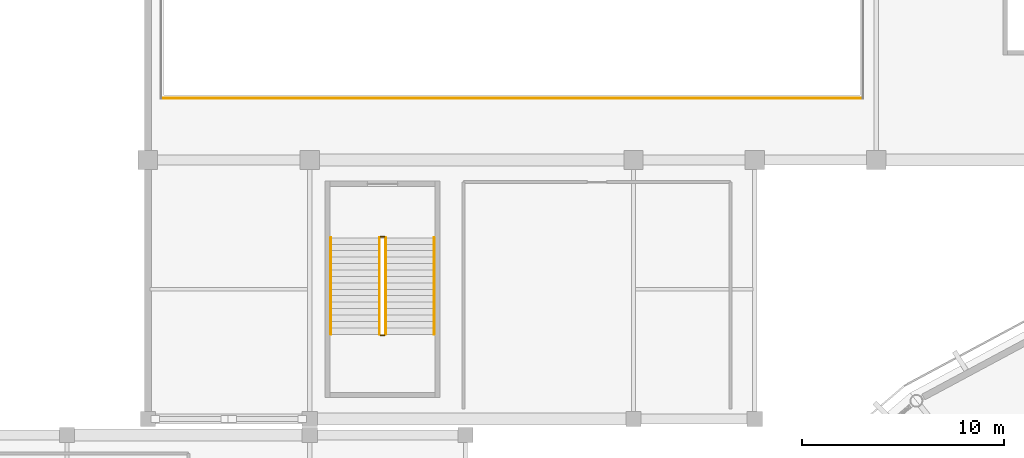
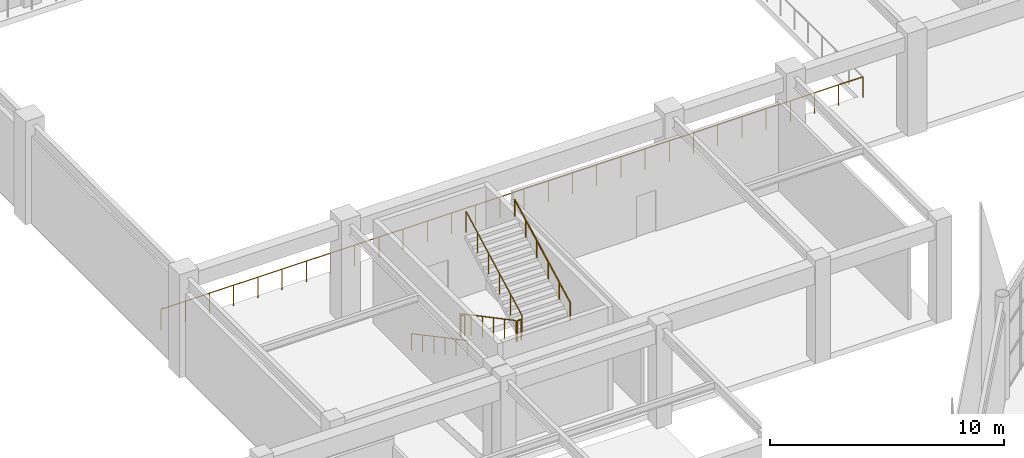
# One storey, part 104 of 120: 7 railings.
"""IFC4 building model written with IfcOpenShell, lengths in metres."""

import ifcopenshell
import ifcopenshell.guid

model = None  # the IFC model being written
_history = None  # IfcOwnerHistory: only IFC2X3 demands one
_inside = {}  # id of a spatial element -> (the spatial element, [elements in it])
_under = {}  # id of a project, library or spatial element -> (it, [spatial elements below it])
_declared = {}  # id of a project -> (the project, [libraries it declares])
_typed = {}  # id of a type object -> (the type object, [elements of that type])
_made_of = {}  # id of a material, layer set ... -> (it, [elements and type objects made of it])


def new_model(schema):
    """Start an empty IFC model of exactly this schema.

    Asked for "IFC4X3", IfcOpenShell would pick the latest addendum, in which some entities
    have other attributes; the version numbers below select the first issue.
    IFC2X3 requires an IfcOwnerHistory on every rooted entity: one is made here for all.
    """
    global model, _history
    if schema == "IFC4X3":
        model = ifcopenshell.file(schema_version=(4, 3, 0, 0))
    else:
        model = ifcopenshell.file(schema=schema)
    _inside.clear()
    _under.clear()
    _declared.clear()
    _typed.clear()
    _made_of.clear()
    _history = None
    if model.schema == "IFC2X3":
        org = make("IfcOrganization", Name="unknown")
        user = make(
            "IfcPersonAndOrganization",
            ThePerson=make("IfcPerson", FamilyName="unknown"),
            TheOrganization=org,
        )
        app = make(
            "IfcApplication",
            ApplicationDeveloper=org,
            Version="unknown",
            ApplicationFullName="unknown",
            ApplicationIdentifier="unknown",
        )
        _history = make(
            "IfcOwnerHistory",
            OwningUser=user,
            OwningApplication=app,
            ChangeAction="ADDED",
            CreationDate=0,
        )
    return model


def make(cls, **values):
    """One entity of the class cls with the attributes given. An attribute that is None is left unset."""
    return model.create_entity(
        cls, **{name: value for name, value in values.items() if value is not None}
    )


def rooted(cls, **values):
    """An entity with a GlobalId (a new one), such as an element, a storey or a relation."""
    return make(cls, GlobalId=ifcopenshell.guid.new(), OwnerHistory=_history, **values)


def si_unit(unit_type, name, prefix=None):
    """IfcSIUnit, for example si_unit("LENGTHUNIT", "METRE", prefix="MILLI")."""
    return make("IfcSIUnit", UnitType=unit_type, Prefix=prefix, Name=name)


def assignment(units):
    """IfcUnitAssignment: the units of a project."""
    return None if units is None else make("IfcUnitAssignment", Units=units)


def point(xyz):
    """IfcCartesianPoint."""
    return None if xyz is None else make("IfcCartesianPoint", Coordinates=xyz)


def direction(xyz):
    """IfcDirection."""
    return None if xyz is None else make("IfcDirection", DirectionRatios=xyz)


def frame(location, z_axis=None, x_axis=None):
    """IfcAxis2Placement3D, a coordinate frame: its origin and axes. An axis left out is left unset."""
    return make(
        "IfcAxis2Placement3D",
        Location=point(location),
        Axis=direction(z_axis),
        RefDirection=direction(x_axis),
    )


def frame_2d(location, x_axis=None):
    """IfcAxis2Placement2D, a coordinate frame in the plane: its origin and x axis."""
    return make(
        "IfcAxis2Placement2D", Location=point(location), RefDirection=direction(x_axis)
    )


def origin():
    """The frame at (0, 0, 0) with its axes left unset."""
    return frame((0.0, 0.0, 0.0))


def origin_2d():
    """The frame at (0, 0) in the plane with its x axis left unset."""
    return frame_2d((0.0, 0.0))


def place(relative_to, where):
    """IfcLocalPlacement: puts the frame where relative to a parent placement (None: the world)."""
    return make(
        "IfcLocalPlacement", PlacementRelTo=relative_to, RelativePlacement=where
    )


def context(
    kind, dimensions, precision=None, world=None, true_north=None, identifier=None
):
    """IfcGeometricRepresentationContext, for example the 3D "Model" context."""
    return make(
        "IfcGeometricRepresentationContext",
        ContextIdentifier=identifier,
        ContextType=kind,
        CoordinateSpaceDimension=dimensions,
        Precision=precision,
        WorldCoordinateSystem=world,
        TrueNorth=true_north,
    )


def subcontext(parent, identifier, kind, view, scale=None):
    """IfcGeometricRepresentationSubContext, for example "Body" below "Model"."""
    return make(
        "IfcGeometricRepresentationSubContext",
        ContextIdentifier=identifier,
        ContextType=kind,
        ParentContext=parent,
        TargetScale=scale,
        TargetView=view,
    )


def project(units=None, contexts=None):
    """IfcProject with its units and contexts."""
    return rooted(
        "IfcProject",
        Name="project",
        RepresentationContexts=contexts,
        UnitsInContext=assignment(units),
    )


def spatial(cls, under=None, at=None, **own):
    """A site, building, storey or space (cls), placed at a placement, below another one or the project."""
    s = rooted(cls, ObjectPlacement=at, **own)
    if under is not None:
        _under.setdefault(under.id(), (under, []))[1].append(s)
    return s


def profile(cls, at=None, kind="AREA", **sizes):
    """A parametric profile (cls). Its sizes go by their IFC names, for example OverallWidth=200.0."""
    return make(cls, ProfileType=kind, Position=at, **sizes)


def circle(**sizes):
    """IfcCircleProfileDef."""
    return profile("IfcCircleProfileDef", **sizes)


def extrude(swept, where, along, depth):
    """IfcExtrudedAreaSolid: the profile swept, set in the frame where, extruded along a direction by depth."""
    return make(
        "IfcExtrudedAreaSolid",
        SweptArea=swept,
        Position=where,
        ExtrudedDirection=direction(along),
        Depth=depth,
    )


def shape(context_of_items, identifier, shape_type, items):
    """IfcShapeRepresentation: the items that make up one representation, for example the "Body"."""
    return make(
        "IfcShapeRepresentation",
        ContextOfItems=context_of_items,
        RepresentationIdentifier=identifier,
        RepresentationType=shape_type,
        Items=items,
    )


def material(Name=None, Category=None):
    """IfcMaterial."""
    return make("IfcMaterial", Name=Name, Category=Category)


def made_of(thing, what):
    """Note that an element or type object is made of a material, layer set ...; save() writes the relation."""
    if what is not None:
        _made_of.setdefault(what.id(), (what, []))[1].append(thing)
    return thing


def type_object(cls, material=None, **own):
    """A type object (cls), such as IfcWallType, which elements share."""
    return made_of(rooted(cls, **own), material)


def element(
    cls,
    number,
    at=None,
    inside=None,
    cuts=None,
    type_object=None,
    material=None,
    context=None,
    identifier="Body",
    shape_type=None,
    held_by="IfcProductDefinitionShape",
    body=None,
    shapes=None,
    **own,
):
    """One element of the class cls, such as IfcWall. Its Tag is "e" and its number.

    at: its placement. inside: the storey or other place that contains it. cuts: it is an
    opening in that element (IfcRelVoidsElement). A single representation is given by context,
    identifier, shape_type and body (its items); several are given by shapes. held_by: the class
    of the entity that holds the representations. save() writes the other relations.
    """
    e = rooted(cls, Tag="e%d" % number, ObjectPlacement=at, **own)
    if body is not None:
        shapes = [shape(context, identifier, shape_type, body)]
    if shapes is not None:
        e.Representation = make(held_by, Representations=shapes)
    if inside is not None:
        _inside.setdefault(inside.id(), (inside, []))[1].append(e)
    if cuts is not None:
        rooted(
            "IfcRelVoidsElement", RelatingBuildingElement=cuts, RelatedOpeningElement=e
        )
    if type_object is not None:
        _typed.setdefault(type_object.id(), (type_object, []))[1].append(e)
    return made_of(e, material)


def aggregate(whole, parts):
    """IfcRelAggregates: a whole, such as a stair, and the parts it consists of."""
    return rooted("IfcRelAggregates", RelatingObject=whole, RelatedObjects=parts)


def save(model, path):
    """Write the relations noted so far, then the file.

    IfcRelAggregates (storeys below a building ...), IfcRelContainedInSpatialStructure (elements
    in a storey), IfcRelDefinesByType, IfcRelAssociatesMaterial and IfcRelDeclares: one each for
    every whole, place, type object, material and project.
    """
    for whole, parts in _under.values():
        aggregate(whole, parts)
    for where, things in _inside.values():
        rooted(
            "IfcRelContainedInSpatialStructure",
            RelatedElements=things,
            RelatingStructure=where,
        )
    for kind, things in _typed.values():
        rooted("IfcRelDefinesByType", RelatedObjects=things, RelatingType=kind)
    for what, things in _made_of.values():
        rooted("IfcRelAssociatesMaterial", RelatedObjects=things, RelatingMaterial=what)
    for by, libraries in _declared.values():
        rooted("IfcRelDeclares", RelatingContext=by, RelatedDefinitions=libraries)
    model.write(path)


model = new_model("IFC4")

# Units and contexts
model_context = context("Model", 3, precision=1e-05, world=origin(), true_north=direction((0.0, 1.0)))
body_context = subcontext(model_context, "Body", "Model", "MODEL_VIEW")
ifc_project = project(units=[si_unit("LENGTHUNIT", "METRE"), si_unit("AREAUNIT", "SQUARE_METRE"), si_unit("VOLUMEUNIT", "CUBIC_METRE"), si_unit("PLANEANGLEUNIT", "RADIAN"), si_unit("MASSUNIT", "GRAM", prefix="KILO")], contexts=[model_context])

# Site, building, storey
site_placement = place(None, origin())
site = spatial("IfcSite", under=ifc_project, at=site_placement, CompositionType="ELEMENT")
building_placement = place(site_placement, origin())
building = spatial("IfcBuilding", under=site, at=building_placement, Name="Cuetzalor Civic Arena", CompositionType="ELEMENT")
storey_placement = place(building_placement, frame((0.0, 0.0, 6.0)))
storey = spatial("IfcBuildingStorey", under=building, at=storey_placement, Name="L01", CompositionType="ELEMENT", Elevation=6.0)

# Railings
ifc_material_1 = material(Name="Reseda-green architectural Steel S355 balustrade", Category="steel")
railing_type_1 = type_object("IfcRailingType", Name="InteriorVoidBalustrade_1100", PredefinedType="BALUSTRADE", material=ifc_material_1)
railing_1_placement = place(storey_placement, frame((-60.550048828125, 44.449951171875, 0.168701171875)))
element("IfcRailing", 1, at=railing_1_placement, inside=storey, type_object=railing_type_1, Name="L01 ST-23 stair guard 1", PredefinedType="BALUSTRADE", context=body_context, shape_type="SweptSolid", body=[
    extrude(circle(Radius=0.02392578125, at=origin_2d()), frame((0.0, 0.0, 1.0810546875), z_axis=(0.0, -0.883332211103, 0.468747485143), x_axis=(1.0, 0.0, 0.0)), (0.0, 0.0, 1.0), 5.400146484375),
    extrude(circle(Radius=0.02099609375, at=origin_2d()), origin(), (0.0, 0.0, 1.0), 1.056884765625),
    extrude(circle(Radius=0.02099609375, at=origin_2d()), frame((0.0, -0.9541015625, 0.50634765625)), (0.0, 0.0, 1.0), 1.056884765625),
    extrude(circle(Radius=0.02099609375, at=origin_2d()), frame((0.0, -1.907958984375, 1.012451171875)), (0.0, 0.0, 1.0), 1.056884765625),
    extrude(circle(Radius=0.02099609375, at=origin_2d()), frame((0.0, -2.862060546875, 1.518798828125)), (0.0, 0.0, 1.0), 1.056884765625),
    extrude(circle(Radius=0.02099609375, at=origin_2d()), frame((0.0, -3.81591796875, 2.02490234375)), (0.0, 0.0, 1.0), 1.056884765625),
    extrude(circle(Radius=0.02099609375, at=origin_2d()), frame((0.0, -4.77001953125, 2.53125)), (0.0, 0.0, 1.0), 1.056884765625),
])
railing_2_placement = place(storey_placement, frame((-60.5, 39.6298828125, 2.699951171875)))
element("IfcRailing", 2, at=railing_2_placement, inside=storey, type_object=railing_type_1, Name="L01 ST-23 stair guard 2", PredefinedType="BALUSTRADE", context=body_context, shape_type="SweptSolid", body=[
    extrude(circle(Radius=0.02392578125, at=origin_2d()), frame((0.0, 0.0, 1.0810546875), z_axis=(1.0, 0.0, 0.0), x_axis=(0.0, 1.0, 0.0)), (0.0, 0.0, 1.0), 0.199951171875),
    extrude(circle(Radius=0.02099609375, at=origin_2d()), origin(), (0.0, 0.0, 1.0), 1.056884765625),
    extrude(circle(Radius=0.02099609375, at=origin_2d()), frame((0.199951171875, 0.0, 0.0)), (0.0, 0.0, 1.0), 1.056884765625),
])
railing_3_placement = place(storey_placement, frame((-60.25, 39.679931640625, 2.86865234375)))
element("IfcRailing", 3, at=railing_3_placement, inside=storey, type_object=railing_type_1, Name="L01 ST-23 stair guard 3", PredefinedType="BALUSTRADE", context=body_context, shape_type="SweptSolid", body=[
    extrude(circle(Radius=0.02392578125, at=origin_2d()), frame((0.0, 0.0, 1.0810546875), z_axis=(0.0, 0.883332211103, 0.468747485143), x_axis=(-1.0, 0.0, 0.0)), (0.0, 0.0, 1.0), 5.400146484375),
    extrude(circle(Radius=0.02099609375, at=origin_2d()), origin(), (0.0, 0.0, 1.0), 1.056884765625),
    extrude(circle(Radius=0.02099609375, at=origin_2d()), frame((0.0, 0.9541015625, 0.50634765625)), (0.0, 0.0, 1.0), 1.056884765625),
    extrude(circle(Radius=0.02099609375, at=origin_2d()), frame((0.0, 1.907958984375, 1.012451171875)), (0.0, 0.0, 1.0), 1.056884765625),
    extrude(circle(Radius=0.02099609375, at=origin_2d()), frame((0.0, 2.862060546875, 1.518798828125)), (0.0, 0.0, 1.0), 1.056884765625),
    extrude(circle(Radius=0.02099609375, at=origin_2d()), frame((0.0, 3.81591796875, 2.02490234375)), (0.0, 0.0, 1.0), 1.056884765625),
    extrude(circle(Radius=0.02099609375, at=origin_2d()), frame((0.0, 4.77001953125, 2.53125)), (0.0, 0.0, 1.0), 1.056884765625),
])
railing_4_placement = place(storey_placement, frame((-60.5, 44.5, 0.0)))
element("IfcRailing", 4, at=railing_4_placement, inside=storey, type_object=railing_type_1, Name="L01 ST-23 stair guard 4", PredefinedType="BALUSTRADE", context=body_context, shape_type="SweptSolid", body=[
    extrude(circle(Radius=0.02392578125, at=origin_2d()), frame((0.0, 0.0, 1.0810546875), z_axis=(1.0, 0.0, 0.0), x_axis=(0.0, 1.0, 0.0)), (0.0, 0.0, 1.0), 0.199951171875),
    extrude(circle(Radius=0.02099609375, at=origin_2d()), origin(), (0.0, 0.0, 1.0), 1.056884765625),
    extrude(circle(Radius=0.02099609375, at=origin_2d()), frame((0.199951171875, 0.0, 0.0)), (0.0, 0.0, 1.0), 1.056884765625),
])
railing_5_placement = place(storey_placement, frame((-71.35009765625, 51.35009765625, 0.0)))
element("IfcRailing", 5, at=railing_5_placement, inside=storey, type_object=railing_type_1, Name="Practice Court Mezzanine Void Balustrade L01-1", PredefinedType="BALUSTRADE", context=body_context, shape_type="SweptSolid", body=[
    extrude(circle(Radius=0.02392578125, at=origin_2d()), frame((0.0, 0.0, 1.076171875), z_axis=(1.0, 0.0, 0.0), x_axis=(0.0, 1.0, 0.0)), (0.0, 0.0, 1.0), 34.7001953125),
    extrude(circle(Radius=0.02099609375, at=origin_2d()), origin(), (0.0, 0.0, 1.0), 1.052001953125),
    extrude(circle(Radius=0.02099609375, at=origin_2d()), frame((1.196533203125, 0.0, 0.0)), (0.0, 0.0, 1.0), 1.052001953125),
    extrude(circle(Radius=0.02099609375, at=origin_2d()), frame((2.39306640625, 0.0, 0.0)), (0.0, 0.0, 1.0), 1.052001953125),
    extrude(circle(Radius=0.02099609375, at=origin_2d()), frame((3.589599609375, 0.0, 0.0)), (0.0, 0.0, 1.0), 1.052001953125),
    extrude(circle(Radius=0.02099609375, at=origin_2d()), frame((4.7861328125, 0.0, 0.0)), (0.0, 0.0, 1.0), 1.052001953125),
    extrude(circle(Radius=0.02099609375, at=origin_2d()), frame((5.98291015625, 0.0, 0.0)), (0.0, 0.0, 1.0), 1.052001953125),
    extrude(circle(Radius=0.02099609375, at=origin_2d()), frame((7.179443359375, 0.0, 0.0)), (0.0, 0.0, 1.0), 1.052001953125),
    extrude(circle(Radius=0.02099609375, at=origin_2d()), frame((8.3759765625, 0.0, 0.0)), (0.0, 0.0, 1.0), 1.052001953125),
    extrude(circle(Radius=0.02099609375, at=origin_2d()), frame((9.572509765625, 0.0, 0.0)), (0.0, 0.0, 1.0), 1.052001953125),
    extrude(circle(Radius=0.02099609375, at=origin_2d()), frame((10.76904296875, 0.0, 0.0)), (0.0, 0.0, 1.0), 1.052001953125),
    extrude(circle(Radius=0.02099609375, at=origin_2d()), frame((11.965576171875, 0.0, 0.0)), (0.0, 0.0, 1.0), 1.052001953125),
    extrude(circle(Radius=0.02099609375, at=origin_2d()), frame((13.162109375, 0.0, 0.0)), (0.0, 0.0, 1.0), 1.052001953125),
    extrude(circle(Radius=0.02099609375, at=origin_2d()), frame((14.358642578125, 0.0, 0.0)), (0.0, 0.0, 1.0), 1.052001953125),
    extrude(circle(Radius=0.02099609375, at=origin_2d()), frame((15.55517578125, 0.0, 0.0)), (0.0, 0.0, 1.0), 1.052001953125),
    extrude(circle(Radius=0.02099609375, at=origin_2d()), frame((16.751708984375, 0.0, 0.0)), (0.0, 0.0, 1.0), 1.052001953125),
    extrude(circle(Radius=0.02099609375, at=origin_2d()), frame((17.948486328125, 0.0, 0.0)), (0.0, 0.0, 1.0), 1.052001953125),
    extrude(circle(Radius=0.02099609375, at=origin_2d()), frame((19.14501953125, 0.0, 0.0)), (0.0, 0.0, 1.0), 1.052001953125),
    extrude(circle(Radius=0.02099609375, at=origin_2d()), frame((20.341552734375, 0.0, 0.0)), (0.0, 0.0, 1.0), 1.052001953125),
    extrude(circle(Radius=0.02099609375, at=origin_2d()), frame((21.5380859375, 0.0, 0.0)), (0.0, 0.0, 1.0), 1.052001953125),
    extrude(circle(Radius=0.02099609375, at=origin_2d()), frame((22.734619140625, 0.0, 0.0)), (0.0, 0.0, 1.0), 1.052001953125),
    extrude(circle(Radius=0.02099609375, at=origin_2d()), frame((23.93115234375, 0.0, 0.0)), (0.0, 0.0, 1.0), 1.052001953125),
    extrude(circle(Radius=0.02099609375, at=origin_2d()), frame((25.127685546875, 0.0, 0.0)), (0.0, 0.0, 1.0), 1.052001953125),
    extrude(circle(Radius=0.02099609375, at=origin_2d()), frame((26.32421875, 0.0, 0.0)), (0.0, 0.0, 1.0), 1.052001953125),
    extrude(circle(Radius=0.02099609375, at=origin_2d()), frame((27.520751953125, 0.0, 0.0)), (0.0, 0.0, 1.0), 1.052001953125),
    extrude(circle(Radius=0.02099609375, at=origin_2d()), frame((28.71728515625, 0.0, 0.0)), (0.0, 0.0, 1.0), 1.052001953125),
    extrude(circle(Radius=0.02099609375, at=origin_2d()), frame((29.9140625, 0.0, 0.0)), (0.0, 0.0, 1.0), 1.052001953125),
    extrude(circle(Radius=0.02099609375, at=origin_2d()), frame((31.110595703125, 0.0, 0.0)), (0.0, 0.0, 1.0), 1.052001953125),
    extrude(circle(Radius=0.02099609375, at=origin_2d()), frame((32.30712890625, 0.0, 0.0)), (0.0, 0.0, 1.0), 1.052001953125),
    extrude(circle(Radius=0.02099609375, at=origin_2d()), frame((33.503662109375, 0.0, 0.0)), (0.0, 0.0, 1.0), 1.052001953125),
    extrude(circle(Radius=0.02099609375, at=origin_2d()), frame((34.7001953125, 0.0, 0.0)), (0.0, 0.0, 1.0), 1.052001953125),
])
ifc_material_2 = material(Name="Galvanised steel S355", Category="steel")
railing_type_2 = type_object("IfcRailingType", Name="StairPitchHandrail_900", PredefinedType="HANDRAIL", material=ifc_material_2)
railing_6_placement = place(storey_placement, frame((-62.949951171875, 44.449951171875, 0.168701171875)))
element("IfcRailing", 6, at=railing_6_placement, inside=storey, type_object=railing_type_2, Name="L01 ST-23 stair handrail 1", PredefinedType="HANDRAIL", context=body_context, shape_type="SweptSolid", body=[
    extrude(circle(Radius=0.02392578125, at=origin_2d()), frame((0.0, 0.0, 0.8759765625), z_axis=(0.0, -0.883332211103, 0.468747485143), x_axis=(1.0, 0.0, 0.0)), (0.0, 0.0, 1.0), 5.400146484375),
    extrude(circle(Radius=0.02099609375, at=origin_2d()), origin(), (0.0, 0.0, 1.0), 0.851806640625),
    extrude(circle(Radius=0.02099609375, at=origin_2d()), frame((0.0, -0.9541015625, 0.50634765625)), (0.0, 0.0, 1.0), 0.851806640625),
    extrude(circle(Radius=0.02099609375, at=origin_2d()), frame((0.0, -1.907958984375, 1.012451171875)), (0.0, 0.0, 1.0), 0.851806640625),
    extrude(circle(Radius=0.02099609375, at=origin_2d()), frame((0.0, -2.862060546875, 1.518798828125)), (0.0, 0.0, 1.0), 0.851806640625),
    extrude(circle(Radius=0.02099609375, at=origin_2d()), frame((0.0, -3.81591796875, 2.02490234375)), (0.0, 0.0, 1.0), 0.851806640625),
    extrude(circle(Radius=0.02099609375, at=origin_2d()), frame((0.0, -4.77001953125, 2.53125)), (0.0, 0.0, 1.0), 0.851806640625),
])
railing_7_placement = place(storey_placement, frame((-57.85009765625, 39.679931640625, 2.86865234375)))
element("IfcRailing", 7, at=railing_7_placement, inside=storey, type_object=railing_type_2, Name="L01 ST-23 stair handrail 2", PredefinedType="HANDRAIL", context=body_context, shape_type="SweptSolid", body=[
    extrude(circle(Radius=0.02392578125, at=origin_2d()), frame((0.0, 0.0, 0.8759765625), z_axis=(0.0, 0.883332211103, 0.468747485143), x_axis=(-1.0, 0.0, 0.0)), (0.0, 0.0, 1.0), 5.400146484375),
    extrude(circle(Radius=0.02099609375, at=origin_2d()), origin(), (0.0, 0.0, 1.0), 0.851806640625),
    extrude(circle(Radius=0.02099609375, at=origin_2d()), frame((0.0, 0.9541015625, 0.50634765625)), (0.0, 0.0, 1.0), 0.851806640625),
    extrude(circle(Radius=0.02099609375, at=origin_2d()), frame((0.0, 1.907958984375, 1.012451171875)), (0.0, 0.0, 1.0), 0.851806640625),
    extrude(circle(Radius=0.02099609375, at=origin_2d()), frame((0.0, 2.862060546875, 1.518798828125)), (0.0, 0.0, 1.0), 0.851806640625),
    extrude(circle(Radius=0.02099609375, at=origin_2d()), frame((0.0, 3.81591796875, 2.02490234375)), (0.0, 0.0, 1.0), 0.851806640625),
    extrude(circle(Radius=0.02099609375, at=origin_2d()), frame((0.0, 4.77001953125, 2.53125)), (0.0, 0.0, 1.0), 0.851806640625),
])

save(model, "model.ifc")
